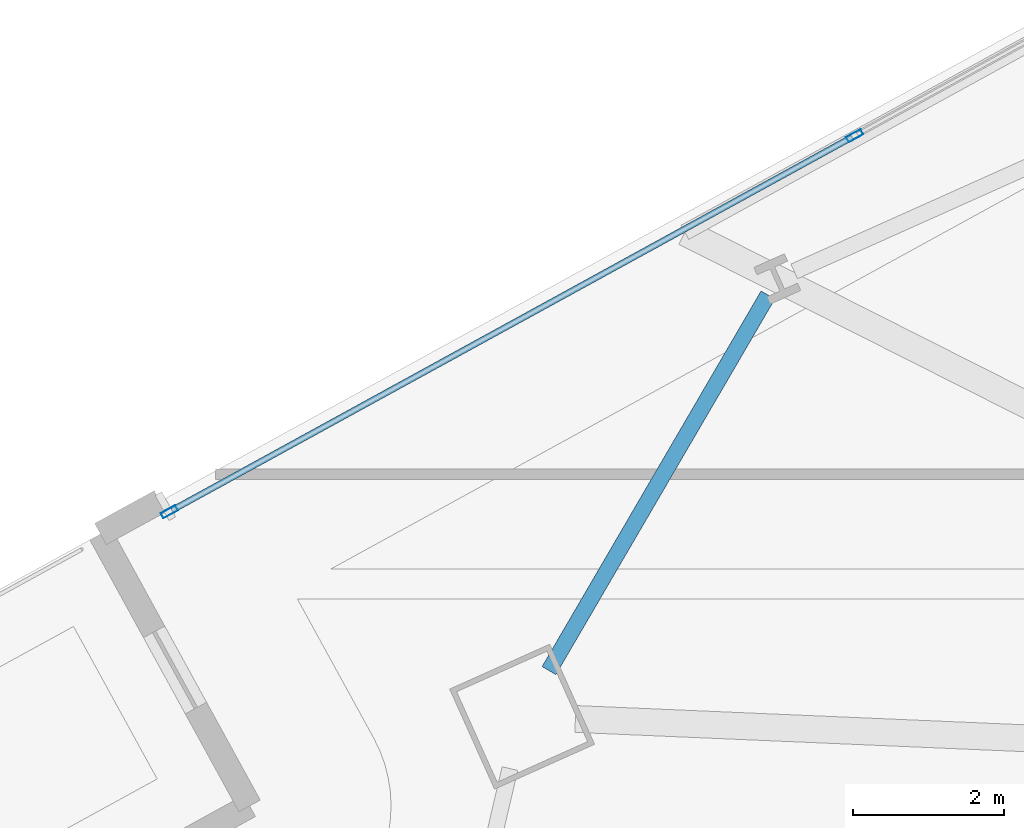
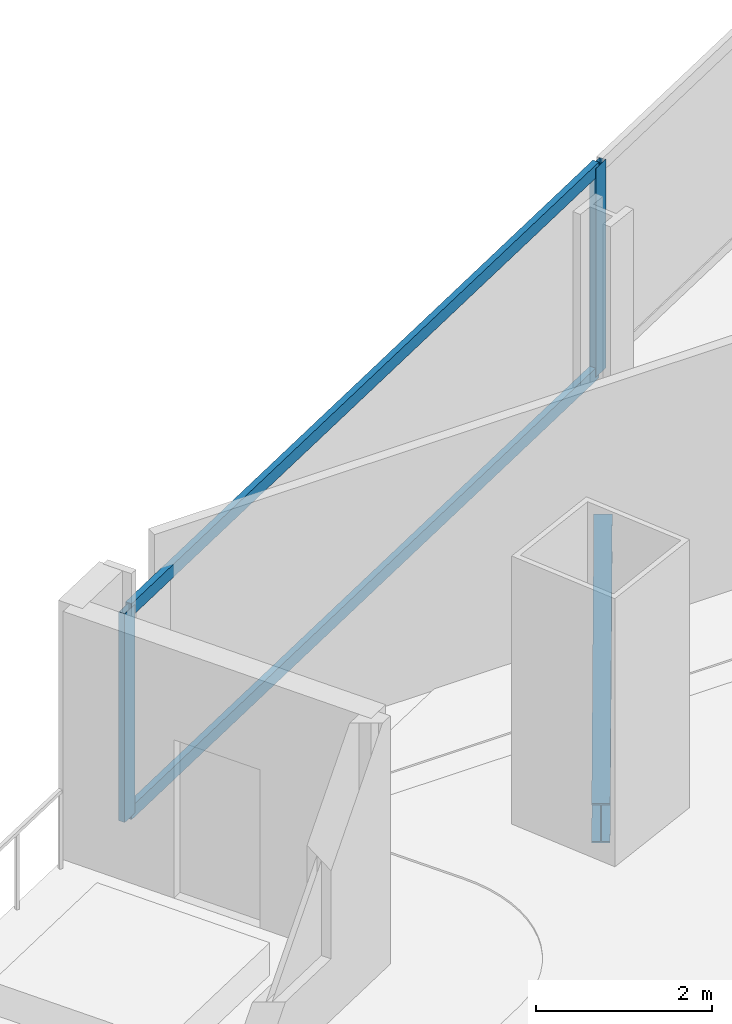
# One storey, part 14 of 33: 4 members, 1 beam, 1 element without a shape of its own.
"""IFC4 building model written with IfcOpenShell, lengths in metres."""

from ifc_helpers import new_model, si_unit, direction, frame, origin, origin_2d, place, context, subcontext, project, spatial, hollow_rectangle, i_section, extrude, material, material_profile, profile_set, type_object, element, aggregate, save


model = new_model("IFC4")

# Units and contexts
model_context = context("Model", 3, precision=1e-05, world=origin(), true_north=direction((0.0, 1.0)))
body_context = subcontext(model_context, "Body", "Model", "MODEL_VIEW")
ifc_project = project(units=[si_unit("LENGTHUNIT", "METRE"), si_unit("AREAUNIT", "SQUARE_METRE"), si_unit("VOLUMEUNIT", "CUBIC_METRE"), si_unit("PLANEANGLEUNIT", "RADIAN"), si_unit("MASSUNIT", "GRAM", prefix="KILO")], contexts=[model_context])

# Site, building, storey
site_placement = place(None, origin())
site = spatial("IfcSite", under=ifc_project, at=site_placement, CompositionType="ELEMENT")
building_placement = place(site_placement, origin())
building = spatial("IfcBuilding", under=site, at=building_placement, Name="Haldenkirk Collegiate Tower", CompositionType="ELEMENT")
storey_placement = place(building_placement, frame((0.0, 0.0, 124.199951171875)))
storey = spatial("IfcBuildingStorey", under=building, at=storey_placement, Name="L30", CompositionType="ELEMENT", Elevation=124.199951171875)

# Beam
ifc_material_1 = material(Name="Steel ASTM A992 Grade 50", Category="steel")
ifc_material_profile_1 = material_profile(ifc_material_1, i_section(OverallWidth=0.2119140625, OverallDepth=0.5439453125, WebThickness=0.01318359375, FlangeThickness=0.021240234375, at=origin_2d()), Name="W21X83")
ifc_profile_set_1 = profile_set([ifc_material_profile_1], Name="Steel ASTM A992 Grade 50")
beam_type = type_object("IfcBeamType", Name="BM-SPANDREL-W21X83", PredefinedType="SPANDREL", material=ifc_profile_set_1)
beam_placement = place(storey_placement, frame((14.035888671875, 40.27001953125, -0.572021484375), z_axis=(-0.503649179098, -0.863908273137, 0.0), x_axis=(0.863908273137, -0.503649179098, 0.0)))
element("IfcBeam", 1, at=beam_placement, inside=storey, type_object=beam_type, Name="L30 perimeter spandrel beam 12", PredefinedType="SPANDREL", context=body_context, shape_type="SweptSolid", body=[
    extrude(i_section(OverallWidth=0.2119140625, OverallDepth=0.5439453125, WebThickness=0.01318359375, FlangeThickness=0.021240234375, at=origin_2d()), origin(), (0.0, 0.0, 1.0), 5.748046875),
])

# Curtain wall, members
ifc_material_2 = material(Name="Anodised architectural bronze aluminium", Category="aluminium")
curtain_wall_type = type_object("IfcCurtainWallType", Name="CW-SYS1-CONVEX-LOW", PredefinedType="USERDEFINED", material=ifc_material_2)
curtain_wall_placement = place(storey_placement, origin())
curtain_wall = element("IfcCurtainWall", 2, at=curtain_wall_placement, inside=storey, type_object=curtain_wall_type, Name="L30 Lower tower convex bronze-framed unitised curtain wall", ObjectType="UNITISED CURTAIN WALL", PredefinedType="USERDEFINED")
ifc_material_profile_2 = material_profile(ifc_material_2, hollow_rectangle(XDim=0.080078125, YDim=0.219970703125, WallThickness=0.0048828125, at=origin_2d()), Name="CW-MUL-1A")
ifc_profile_set_2 = profile_set([ifc_material_profile_2], Name="Anodised architectural bronze aluminium")
member_type_1 = type_object("IfcMemberType", Name="CW-MUL-1A", PredefinedType="MULLION", material=ifc_profile_set_2)
member_1_placement = place(storey_placement, frame((6.121337890625, 37.404541015625, 0.0), z_axis=(0.0, 0.0, 1.0), x_axis=(-0.480988754199, 0.876726763783, 0.0)))
member_1 = element("IfcMember", 3, at=member_1_placement, type_object=member_type_1, Name="CW-1A mullion 1", PredefinedType="MULLION", context=body_context, shape_type="SweptSolid", body=[
    extrude(hollow_rectangle(XDim=0.080078125, YDim=0.219970703125, WallThickness=0.0048828125, at=origin_2d()), origin(), (0.0, 0.0, 1.0), 2.901123046875),
])
member_2_placement = place(storey_placement, frame((15.182373046875, 42.37548828125, 0.0), z_axis=(0.0, 0.0, 1.0), x_axis=(-0.480988754199, 0.876726763783, 0.0)))
member_2 = element("IfcMember", 4, at=member_2_placement, type_object=member_type_1, Name="CW-1A mullion 2", PredefinedType="MULLION", context=body_context, shape_type="SweptSolid", body=[
    extrude(hollow_rectangle(XDim=0.080078125, YDim=0.219970703125, WallThickness=0.0048828125, at=origin_2d()), origin(), (0.0, 0.0, 1.0), 2.901123046875),
])
ifc_material_profile_3 = material_profile(ifc_material_2, hollow_rectangle(XDim=0.080078125, YDim=0.179931640625, WallThickness=0.0048828125, at=origin_2d()), Name="CW-TRN-1A")
ifc_profile_set_3 = profile_set([ifc_material_profile_3], Name="Anodised architectural bronze aluminium")
member_type_2 = type_object("IfcMemberType", Name="CW-TRN-1A", PredefinedType="USERDEFINED", material=ifc_profile_set_3)
member_3_placement = place(storey_placement, frame((6.156494140625, 37.423828125, 0.0400390625), z_axis=(0.876731127224, 0.480980800611, 0.0), x_axis=(-0.480980800611, 0.876731127224, 0.0)))
member_3 = element("IfcMember", 5, at=member_3_placement, type_object=member_type_2, Name="CW-1A transom 1.1", ObjectType="TRANSOM", PredefinedType="USERDEFINED", context=body_context, shape_type="SweptSolid", body=[
    extrude(hollow_rectangle(XDim=0.080078125, YDim=0.179931640625, WallThickness=0.0048828125, at=origin_2d()), origin(), (0.0, 0.0, 1.0), 10.2548828125),
])
member_4_placement = place(storey_placement, frame((6.156494140625, 37.423828125, 2.861083984375), z_axis=(0.876731127224, 0.480980800611, 0.0), x_axis=(-0.480980800611, 0.876731127224, 0.0)))
member_4 = element("IfcMember", 6, at=member_4_placement, type_object=member_type_2, Name="CW-1A transom 1.2", ObjectType="TRANSOM", PredefinedType="USERDEFINED", context=body_context, shape_type="SweptSolid", body=[
    extrude(hollow_rectangle(XDim=0.080078125, YDim=0.179931640625, WallThickness=0.0048828125, at=origin_2d()), origin(), (0.0, 0.0, 1.0), 10.2548828125),
])
aggregate(curtain_wall, [member_1, member_2, member_3, member_4])

save(model, "model.ifc")
